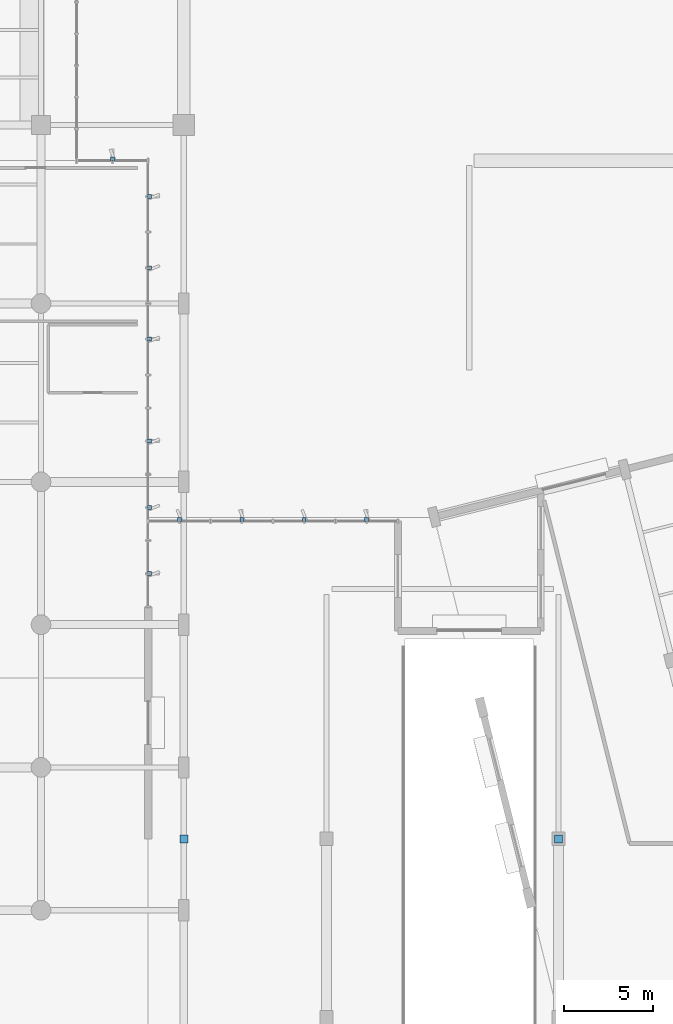
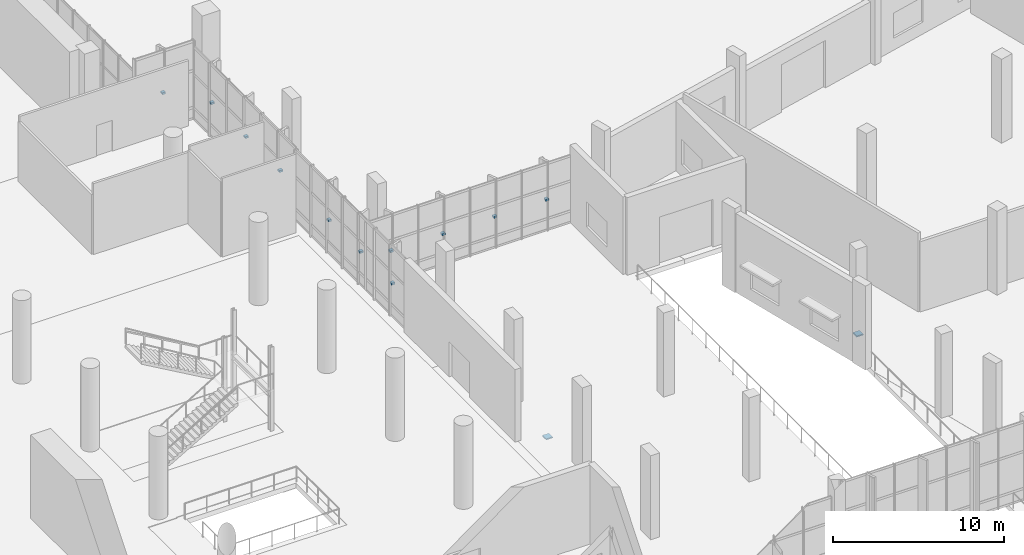
# One storey, part 140 of 163: 13 discrete accessories.
"""IFC4 building model written with IfcOpenShell, lengths in metres."""

from ifc_helpers import new_model, si_unit, direction, frame, origin, origin_2d, place, context, subcontext, project, spatial, rectangle, extrude, material, type_object, element, save


model = new_model("IFC4")

# Units and contexts
model_context = context("Model", 3, precision=1e-05, world=origin(), true_north=direction((0.0, 1.0)))
body_context = subcontext(model_context, "Body", "Model", "MODEL_VIEW")
ifc_project = project(units=[si_unit("LENGTHUNIT", "METRE"), si_unit("AREAUNIT", "SQUARE_METRE"), si_unit("VOLUMEUNIT", "CUBIC_METRE"), si_unit("PLANEANGLEUNIT", "RADIAN"), si_unit("MASSUNIT", "GRAM", prefix="KILO")], contexts=[model_context])

# Site, building, storey
site_placement = place(None, origin())
site = spatial("IfcSite", under=ifc_project, at=site_placement, CompositionType="ELEMENT")
building_placement = place(site_placement, origin())
building = spatial("IfcBuilding", under=site, at=building_placement, Name="Khorjan Park Terminus", CompositionType="ELEMENT")
storey_placement = place(building_placement, origin())
storey = spatial("IfcBuildingStorey", under=building, at=storey_placement, Name="L00", CompositionType="ELEMENT", Elevation=0.0)

# Discrete accessories
ifc_material = material(Name="Steel S355", Category="steel")
discrete_accessory_type_1 = type_object("IfcDiscreteAccessoryType", Name="ACC-BRK-FIN", PredefinedType="BRACKET", material=ifc_material)
for number, where, z_axis, x_axis, name in (
    (1, (132.0, 86.09, 2.459), (0.0, 0.0, 1.0), (-1.0, 0.0, 0.0), "Solar fin structural bracket BK-01 (CW-V2-N-L00-08-1)"),
    (2, (134.09, 62.8571, 2.2093), (0.0, 0.0, 1.0), (0.0, 1.0, 0.0), "Solar fin structural bracket BK-01 (CW-V2-E-L00-03-1)"),
    (3, (134.09, 66.5714, 2.2093), (0.0, 0.0, 1.0), (0.0, 1.0, 0.0), "Solar fin structural bracket BK-01 (CW-V2-E-L00-03-3)"),
    (4, (134.09, 70.2857, 2.2093), (0.0, 0.0, 1.0), (0.0, 1.0, 0.0), "Solar fin structural bracket BK-01 (CW-V2-E-L00-03-5)"),
    (5, (134.09, 76.0, 2.2812), (0.0, 0.0, 1.0), (0.0, 1.0, 0.0), "Solar fin structural bracket BK-01 (CW-V2-E-L00-04-1)"),
    (6, (134.09, 80.0, 2.2812), (0.0, 0.0, 1.0), (0.0, 1.0, 0.0), "Solar fin structural bracket BK-01 (CW-V2-E-L00-04-3)"),
    (7, (134.09, 84.0, 2.2812), (0.0, 0.0, 1.0), (0.0, 1.0, 0.0), "Solar fin structural bracket BK-01 (CW-V2-E-L00-04-5)"),
    (8, (146.25, 65.89, 2.1013), (0.0, 0.0, 1.0), (-1.0, 0.0, 0.0), "Solar fin structural bracket BK-01 (CW-V5L-N-L00-1-1)"),
    (9, (142.75, 65.89, 2.1013), (0.0, 0.0, 1.0), (-1.0, 0.0, 0.0), "Solar fin structural bracket BK-01 (CW-V5L-N-L00-1-3)"),
    (10, (139.25, 65.89, 2.1013), (0.0, 0.0, 1.0), (-1.0, 0.0, 0.0), "Solar fin structural bracket BK-01 (CW-V5L-N-L00-1-5)"),
    (11, (135.75, 65.89, 2.1013), (0.0, 0.0, 1.0), (-1.0, 0.0, 0.0), "Solar fin structural bracket BK-01 (CW-V5L-N-L00-1-7)"),
):
    element("IfcDiscreteAccessory", number, at=place(storey_placement, frame(where, z_axis=z_axis, x_axis=x_axis)), inside=storey, type_object=discrete_accessory_type_1, Name=name, PredefinedType="BRACKET", context=body_context, shape_type="SweptSolid", body=[
        extrude(rectangle(XDim=0.22, YDim=0.22, at=origin_2d()), origin(), (0.0, 0.0, 1.0), 0.14),
    ])
discrete_accessory_type_2 = type_object("IfcDiscreteAccessoryType", Name="ACC-SHOE-PTFE", PredefinedType="SHOE", material=ifc_material)
for number, where, z_axis, x_axis, name in (
    (12, (136.0, 48.0, -0.41), (0.0, 0.0, 1.0), (1.0, 0.0, 0.0), "Unguided PTFE elastomeric movement-joint bearing BRG-01 (4)"),
    (13, (157.0, 48.0, -0.41), (0.0, 0.0, 1.0), (1.0, 0.0, 0.0), "Unguided PTFE elastomeric movement-joint bearing BRG-01 (6)"),
):
    element("IfcDiscreteAccessory", number, at=place(storey_placement, frame(where, z_axis=z_axis, x_axis=x_axis)), inside=storey, type_object=discrete_accessory_type_2, Name=name, PredefinedType="SHOE", context=body_context, shape_type="SweptSolid", body=[
        extrude(rectangle(XDim=0.45, YDim=0.45, at=origin_2d()), origin(), (0.0, 0.0, 1.0), 0.08),
    ])

save(model, "model.ifc")
